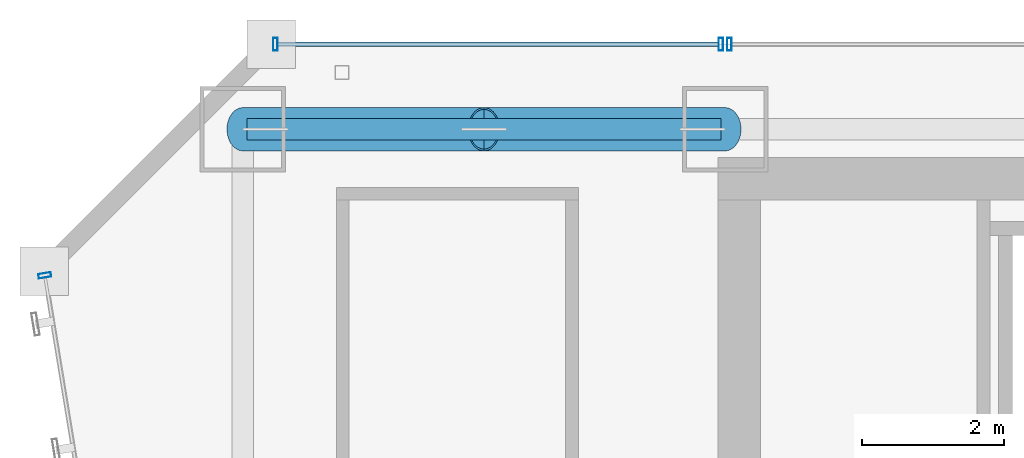
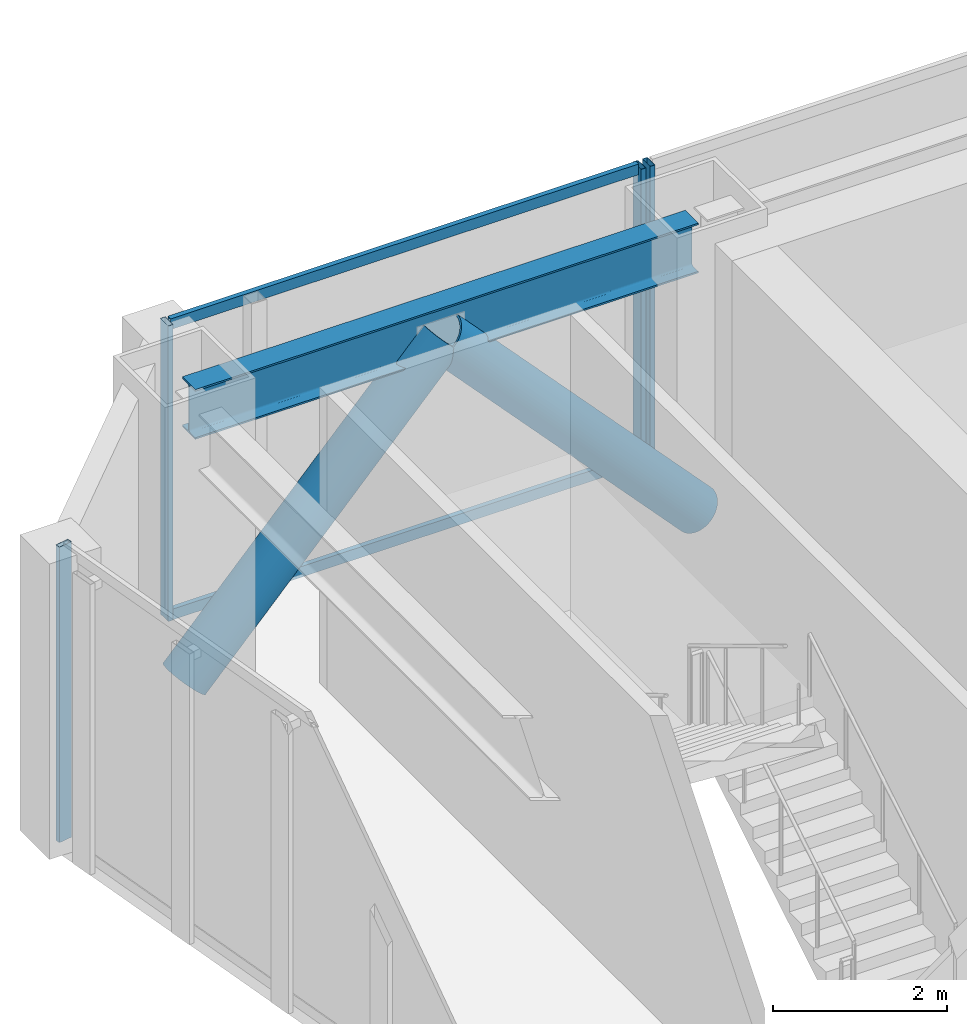
# One storey, part 26 of 47: 8 members, 1 beam, 3 elements without a shape of their own.
"""IFC4 building model written with IfcOpenShell, lengths in metres."""

from ifc_helpers import new_model, si_unit, direction, frame, origin, origin_2d, place, context, subcontext, project, spatial, hollow_rectangle, hollow_circle, i_section, extrude, material, material_profile, profile_set, type_object, element, aggregate, save


model = new_model("IFC4")

# Units and contexts
model_context = context("Model", 3, precision=1e-05, world=origin(), true_north=direction((0.0, 1.0)))
body_context = subcontext(model_context, "Body", "Model", "MODEL_VIEW")
ifc_project = project(units=[si_unit("LENGTHUNIT", "METRE"), si_unit("AREAUNIT", "SQUARE_METRE"), si_unit("VOLUMEUNIT", "CUBIC_METRE"), si_unit("PLANEANGLEUNIT", "RADIAN"), si_unit("MASSUNIT", "GRAM", prefix="KILO")], contexts=[model_context])

# Site, building, storey
site_placement = place(None, origin())
site = spatial("IfcSite", under=ifc_project, at=site_placement, CompositionType="ELEMENT")
building_placement = place(site_placement, origin())
building = spatial("IfcBuilding", under=site, at=building_placement, Name="Saevonmaru Cultural Tower", CompositionType="ELEMENT")
storey_placement = place(building_placement, frame((0.0, 0.0, 56.0)))
storey = spatial("IfcBuildingStorey", under=building, at=storey_placement, Name="L11", CompositionType="ELEMENT", Elevation=56.0)

# Beam
ifc_material_1 = material(Name="Steel SM355", Category="steel")
ifc_material_profile_1 = material_profile(ifc_material_1, i_section(OverallWidth=0.300048828125, OverallDepth=0.699951171875, WebThickness=0.012939453125, FlangeThickness=0.02392578125, FilletRadius=0.02587890625, at=origin_2d()), Name="H-700x300x13x24")
ifc_profile_set_1 = profile_set([ifc_material_profile_1], Name="Steel SM355")
beam_type = type_object("IfcBeamType", Name="BM-SP-H700", PredefinedType="SPANDREL", material=ifc_profile_set_1)
beam_placement = place(storey_placement, frame((6.860107421875, 54.800048828125, 3.800048828125), z_axis=(1.0, 0.0, 0.0), x_axis=(0.0, 1.0, 0.0)))
element("IfcBeam", 1, at=beam_placement, inside=storey, type_object=beam_type, Name="L11 North Spine Girder 1", PredefinedType="SPANDREL", context=body_context, shape_type="SweptSolid", body=[
    extrude(i_section(OverallWidth=0.300048828125, OverallDepth=0.699951171875, WebThickness=0.012939453125, FlangeThickness=0.02392578125, FilletRadius=0.02587890625, at=origin_2d()), origin(), (0.0, 0.0, 1.0), 6.679931640625),
])

# Members
ifc_material_2 = material(Name="Steel HSA600 (600 MPa)", Category="steel")
ifc_material_profile_2 = material_profile(ifc_material_2, hollow_circle(Radius=0.3046875, WallThickness=0.02490234375, at=origin_2d()), Name="CHS-609.6x25")
ifc_profile_set_2 = profile_set([ifc_material_profile_2], Name="Steel HSA600 (600 MPa)")
member_type_1 = type_object("IfcMemberType", Name="MB-PBR-CHS610", PredefinedType="BRACE", material=ifc_profile_set_2)
member_1_placement = place(storey_placement, frame((6.800048828125, 54.800048828125, 0.02001953125), z_axis=(0.681602937137, 0.0, 0.73172223971), x_axis=(0.0, 1.0, 0.0)))
element("IfcMember", 2, at=member_1_placement, inside=storey, type_object=member_type_1, Name="L11 Perimeter Braced-Tube Diagonal WN1", PredefinedType="BRACE", context=body_context, shape_type="SweptSolid", body=[
    extrude(hollow_circle(Radius=0.3046875, WallThickness=0.02490234375, at=origin_2d()), origin(), (0.0, 0.0, 1.0), 4.988037109375),
])
member_2_placement = place(storey_placement, frame((13.60009765625, 54.800048828125, 0.02001953125), z_axis=(-0.681629141635, 0.0, 0.731697829212), x_axis=(0.0, -1.0, 0.0)))
element("IfcMember", 3, at=member_2_placement, inside=storey, type_object=member_type_1, Name="L11 Perimeter Braced-Tube Diagonal WN2", PredefinedType="BRACE", context=body_context, shape_type="SweptSolid", body=[
    extrude(hollow_circle(Radius=0.3046875, WallThickness=0.02490234375, at=origin_2d()), origin(), (0.0, 0.0, 1.0), 4.98828125),
])

# Curtain wall, member
ifc_material_3 = material(Name="Satin Bronze Anodised Aluminium", Category="aluminium")
curtain_wall_type = type_object("IfcCurtainWallType", Name="CW-TYP-A", PredefinedType="NOTDEFINED", material=ifc_material_3)
curtain_wall_1_placement = place(storey_placement, origin())
curtain_wall_1 = element("IfcCurtainWall", 4, at=curtain_wall_1_placement, inside=storey, type_object=curtain_wall_type, Name="L11 North Spine Unitised Curtain Wall E10B", PredefinedType="NOTDEFINED")
ifc_material_profile_3 = material_profile(ifc_material_3, hollow_rectangle(XDim=0.06494140625, YDim=0.179931640625, WallThickness=0.00390625, at=origin_2d()), Name="ALU-MULL-180x65x4")
ifc_profile_set_3 = profile_set([ifc_material_profile_3], Name="Satin Bronze Anodised Aluminium")
member_type_2 = type_object("IfcMemberType", Name="ML-CW-180x65", PredefinedType="MULLION", material=ifc_profile_set_3)
member_3_placement = place(storey_placement, frame((13.659912109375, 56.0, 0.0), z_axis=(0.0, 0.0, 1.0), x_axis=(-1.0, 0.0, 0.0)))
member_3 = element("IfcMember", 5, at=member_3_placement, type_object=member_type_2, Name="CW-TW-L11-E10B mullion 4", PredefinedType="MULLION", context=body_context, shape_type="SweptSolid", body=[
    extrude(hollow_rectangle(XDim=0.06494140625, YDim=0.179931640625, WallThickness=0.00390625, at=origin_2d()), origin(), (0.0, 0.0, 1.0), 4.14990234375),
])
aggregate(curtain_wall_1, [member_3])

# Curtain wall, members
curtain_wall_2_placement = place(storey_placement, origin())
curtain_wall_2 = element("IfcCurtainWall", 6, at=curtain_wall_2_placement, inside=storey, type_object=curtain_wall_type, Name="L11 West Braced Bay Spandrel Curtain Wall E10C", PredefinedType="NOTDEFINED")
member_4_placement = place(storey_placement, frame((13.5400390625, 56.0, 0.0), z_axis=(0.0, 0.0, 1.0), x_axis=(-1.0, 0.0, 0.0)))
member_4 = element("IfcMember", 7, at=member_4_placement, type_object=member_type_2, Name="CW-TW-L11-E10C mullion 1", PredefinedType="MULLION", context=body_context, shape_type="SweptSolid", body=[
    extrude(hollow_rectangle(XDim=0.06494140625, YDim=0.179931640625, WallThickness=0.00390625, at=origin_2d()), origin(), (0.0, 0.0, 1.0), 4.14990234375),
])
member_5_placement = place(storey_placement, frame((7.260009765625, 56.0, 0.0), z_axis=(0.0, 0.0, 1.0), x_axis=(-1.0, 0.0, 0.0)))
member_5 = element("IfcMember", 8, at=member_5_placement, type_object=member_type_2, Name="CW-TW-L11-E10C mullion 2", PredefinedType="MULLION", context=body_context, shape_type="SweptSolid", body=[
    extrude(hollow_rectangle(XDim=0.06494140625, YDim=0.179931640625, WallThickness=0.00390625, at=origin_2d()), origin(), (0.0, 0.0, 1.0), 4.14990234375),
])

# Curtain wall, member
curtain_wall_3_placement = place(storey_placement, origin())
curtain_wall_3 = element("IfcCurtainWall", 9, at=curtain_wall_3_placement, inside=storey, type_object=curtain_wall_type, Name="L11 Unitised Curtain Wall E12", PredefinedType="NOTDEFINED")
member_6_placement = place(storey_placement, frame((4.009765625, 52.74072265625, 0.0), z_axis=(0.0, 0.0, 1.0), x_axis=(0.161708868641, -0.986838508472, 0.0)))
member_6 = element("IfcMember", 10, at=member_6_placement, type_object=member_type_2, Name="CW-TW-L11-E12 mullion 1", PredefinedType="MULLION", context=body_context, shape_type="SweptSolid", body=[
    extrude(hollow_rectangle(XDim=0.06494140625, YDim=0.179931640625, WallThickness=0.00390625, at=origin_2d()), origin(), (0.0, 0.0, 1.0), 4.14990234375),
])
aggregate(curtain_wall_3, [member_6])

# Member
ifc_material_profile_4 = material_profile(ifc_material_3, hollow_rectangle(XDim=0.06494140625, YDim=0.14990234375, WallThickness=0.00390625, at=origin_2d()), Name="ALU-TRAN-150x65x4")
ifc_profile_set_4 = profile_set([ifc_material_profile_4], Name="Satin Bronze Anodised Aluminium")
member_type_3 = type_object("IfcMemberType", Name="TR-CW-150x65", PredefinedType="USERDEFINED", material=ifc_profile_set_4)
member_7_placement = place(storey_placement, frame((13.507568359375, 56.0, 0.032470703125), z_axis=(-1.0, 0.0, 0.0), x_axis=(0.0, -1.0, 0.0)))
member_7 = element("IfcMember", 11, at=member_7_placement, type_object=member_type_3, Name="CW-TW-L11-E10C transom 1.1", ObjectType="TRANSOM", PredefinedType="USERDEFINED", context=body_context, shape_type="SweptSolid", body=[
    extrude(hollow_rectangle(XDim=0.06494140625, YDim=0.14990234375, WallThickness=0.00390625, at=origin_2d()), origin(), (0.0, 0.0, 1.0), 6.215087890625),
])

member_8_placement = place(storey_placement, frame((13.507568359375, 56.0, 4.117431640625), z_axis=(-1.0, 0.0, 0.0), x_axis=(0.0, -1.0, 0.0)))
member_8 = element("IfcMember", 12, at=member_8_placement, type_object=member_type_3, Name="CW-TW-L11-E10C transom 1.2", ObjectType="TRANSOM", PredefinedType="USERDEFINED", context=body_context, shape_type="SweptSolid", body=[
    extrude(hollow_rectangle(XDim=0.06494140625, YDim=0.14990234375, WallThickness=0.00390625, at=origin_2d()), origin(), (0.0, 0.0, 1.0), 6.215087890625),
])

aggregate(curtain_wall_2, [member_4, member_5, member_7, member_8])

save(model, "model.ifc")
